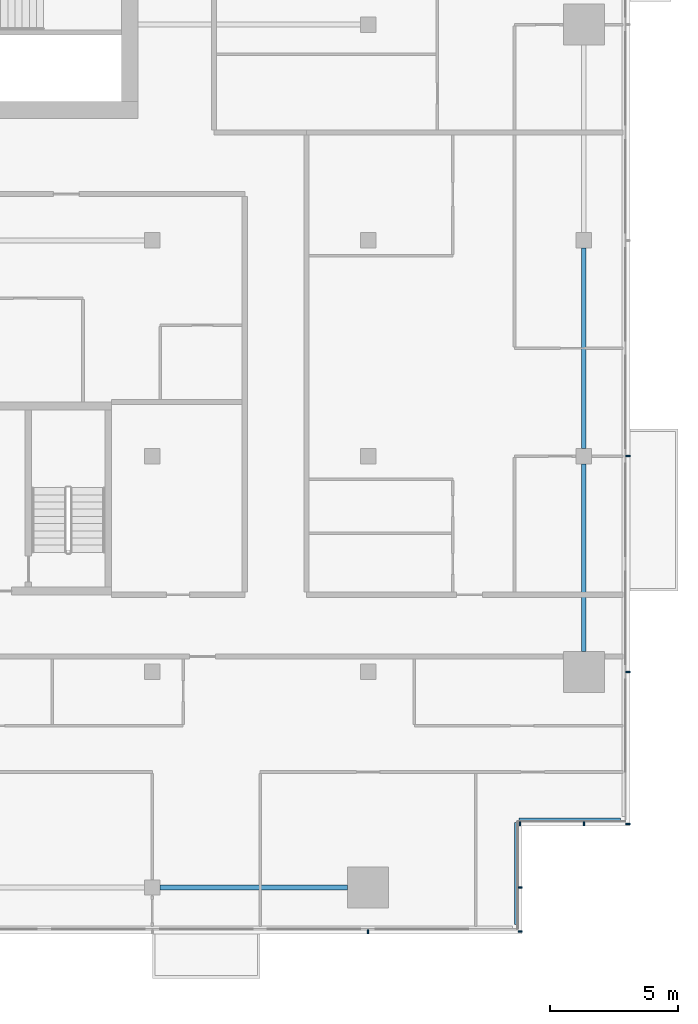
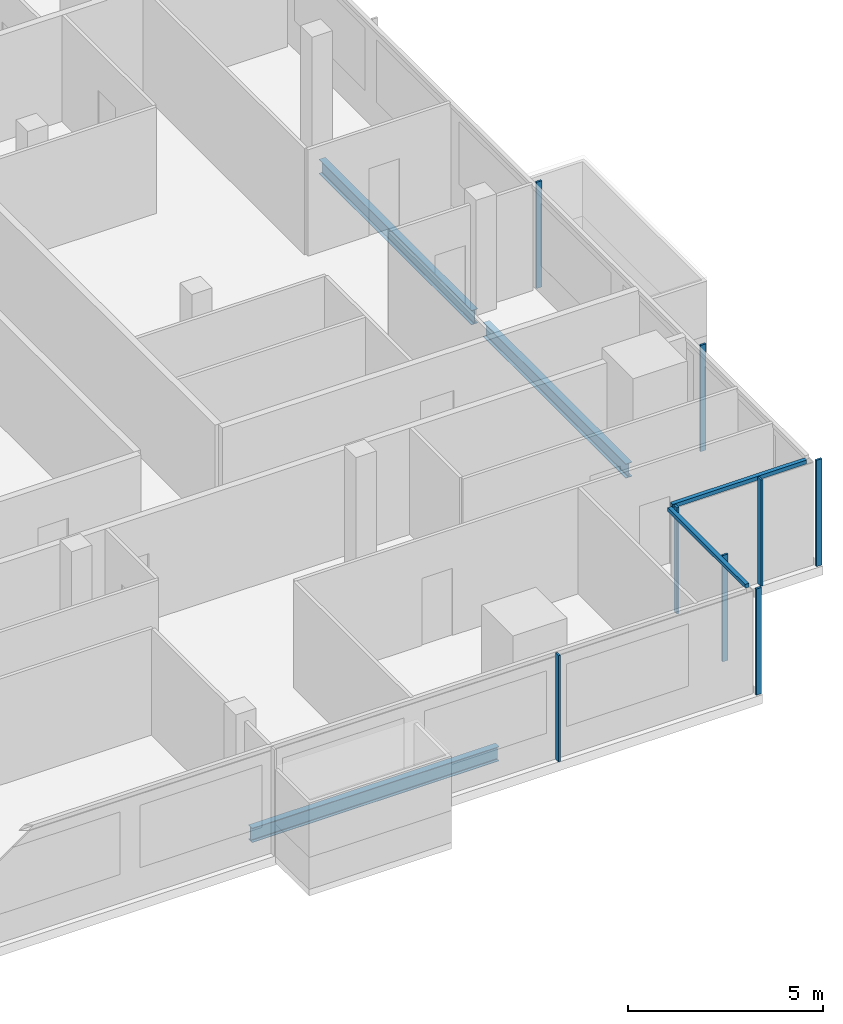
# One storey, part 11 of 26: 10 members, 3 beams, 4 elements without a shape of their own.
"""IFC4 building model written with IfcOpenShell, lengths in metres."""

from ifc_helpers import new_model, si_unit, direction, frame, origin, origin_2d, place, context, subcontext, project, spatial, rectangle, i_section, extrude, material, material_profile, profile_set, type_object, element, aggregate, save


model = new_model("IFC4")

# Units and contexts
model_context = context("Model", 3, precision=1e-05, world=origin(), true_north=direction((0.0, 1.0)))
body_context = subcontext(model_context, "Body", "Model", "MODEL_VIEW")
ifc_project = project(units=[si_unit("LENGTHUNIT", "METRE"), si_unit("AREAUNIT", "SQUARE_METRE"), si_unit("VOLUMEUNIT", "CUBIC_METRE"), si_unit("PLANEANGLEUNIT", "RADIAN"), si_unit("MASSUNIT", "GRAM", prefix="KILO")], contexts=[model_context])

# Site, building, storey
site_placement = place(None, origin())
site = spatial("IfcSite", under=ifc_project, at=site_placement, CompositionType="ELEMENT")
building_placement = place(site_placement, origin())
building = spatial("IfcBuilding", under=site, at=building_placement, Name="Saffron Gate Tower", CompositionType="ELEMENT")
storey_placement = place(building_placement, frame((0.0, 0.0, 230.699951171875)))
storey = spatial("IfcBuildingStorey", under=building, at=storey_placement, Name="L56", CompositionType="ELEMENT", Elevation=230.699951171875)

# Beams
ifc_material_1 = material(Name="Structural steel S355", Category="steel")
ifc_material_profile_1 = material_profile(ifc_material_1, i_section(OverallWidth=0.18994140625, OverallDepth=0.449951171875, WebThickness=0.009521484375, FlangeThickness=0.0146484375, FilletRadius=0.02099609375, at=origin_2d()))
ifc_profile_set_1 = profile_set([ifc_material_profile_1], Name="Structural steel S355")
beam_type = type_object("IfcBeamType", Name="B7 IPE 450", PredefinedType="SPANDREL", material=ifc_profile_set_1)
for number, where, z_axis, x_axis, name in (
    (1, (108.89990234375, 31.800048828125, -0.5048828125), (1.0, 0.0, 0.0), (0.0, 1.0, 0.0), "B7 SPANDREL BEAM"),
    (2, (125.39990234375, 41.0, -0.5048828125), (0.0, 1.0, 0.0), (-1.0, 0.0, 0.0), "B7 SPANDREL BEAM"),
):
    element("IfcBeam", number, at=place(storey_placement, frame(where, z_axis=z_axis, x_axis=x_axis)), inside=storey, type_object=beam_type, Name=name, PredefinedType="SPANDREL", context=body_context, shape_type="SweptSolid", body=[
        extrude(i_section(OverallWidth=0.18994140625, OverallDepth=0.449951171875, WebThickness=0.009521484375, FlangeThickness=0.0146484375, FilletRadius=0.02099609375, at=origin_2d()), origin(), (0.0, 0.0, 1.0), 7.300048828125),
    ])
beam_placement = place(storey_placement, frame((125.39990234375, 48.89990234375, -0.5048828125), z_axis=(0.0, 1.0, 0.0), x_axis=(-1.0, 0.0, 0.0)))
element("IfcBeam", 3, at=beam_placement, inside=storey, type_object=beam_type, Name="B7 SPANDREL BEAM", PredefinedType="SPANDREL", context=body_context, shape_type="SweptSolid", body=[
    extrude(i_section(OverallWidth=0.18994140625, OverallDepth=0.449951171875, WebThickness=0.009521484375, FlangeThickness=0.0146484375, FilletRadius=0.02099609375, at=origin_2d()), origin(), (0.0, 0.0, 1.0), 7.800048828125),
])

# Curtain wall, member
ifc_material_2 = material(Name="Aluminium, bronze anodised", Category="aluminium")
curtain_wall_type_1 = type_object("IfcCurtainWallType", Name="CWS1 curtain wall front facade", PredefinedType="NOTDEFINED", material=ifc_material_2)
curtain_wall_1_placement = place(storey_placement, origin())
curtain_wall_1 = element("IfcCurtainWall", 4, at=curtain_wall_1_placement, inside=storey, type_object=curtain_wall_type_1, Name="CWS1 run 1", PredefinedType="NOTDEFINED")
ifc_material_profile_2 = material_profile(ifc_material_2, rectangle(XDim=0.159912109375, YDim=0.06005859375, at=origin_2d()))
ifc_profile_set_2 = profile_set([ifc_material_profile_2], Name="Aluminium, bronze anodised")
member_type_1 = type_object("IfcMemberType", Name="CWS1 mullion 60x160", PredefinedType="MULLION", material=ifc_profile_set_2)
member_1_placement = place(storey_placement, frame((117.0, 30.080078125, 0.0), z_axis=(0.0, 0.0, 1.0), x_axis=(0.0, 1.0, 0.0)))
member_1 = element("IfcMember", 5, at=member_1_placement, type_object=member_type_1, Name="CWS1 mullion 9", PredefinedType="MULLION", context=body_context, shape_type="SweptSolid", body=[
    extrude(rectangle(XDim=0.159912109375, YDim=0.06005859375, at=origin_2d()), origin(), (0.0, 0.0, 1.0), 3.320068359375),
])
aggregate(curtain_wall_1, [member_1])

# Curtain wall, members
curtain_wall_type_2 = type_object("IfcCurtainWallType", Name="CWS2 curtain wall side facades", PredefinedType="NOTDEFINED", material=ifc_material_2)
curtain_wall_2_placement = place(storey_placement, origin())
curtain_wall_2 = element("IfcCurtainWall", 6, at=curtain_wall_2_placement, inside=storey, type_object=curtain_wall_type_2, Name="CWS2 run 4", PredefinedType="NOTDEFINED")
ifc_material_profile_3 = material_profile(ifc_material_2, rectangle(XDim=0.159912109375, YDim=0.06005859375, at=origin_2d()))
ifc_profile_set_3 = profile_set([ifc_material_profile_3], Name="Aluminium, bronze anodised")
member_type_2 = type_object("IfcMemberType", Name="CWS2 mullion 60x160", PredefinedType="MULLION", material=ifc_profile_set_3)
member_2_placement = place(storey_placement, frame((127.1201171875, 34.280029296875, 0.0), z_axis=(0.0, 0.0, 1.0), x_axis=(-1.0, 0.0, 0.0)))
member_2 = element("IfcMember", 7, at=member_2_placement, type_object=member_type_2, Name="CWS2 mullion 1", PredefinedType="MULLION", context=body_context, shape_type="SweptSolid", body=[
    extrude(rectangle(XDim=0.159912109375, YDim=0.06005859375, at=origin_2d()), origin(), (0.0, 0.0, 1.0), 3.320068359375),
])
member_3_placement = place(storey_placement, frame((127.1201171875, 40.199951171875, 0.0), z_axis=(0.0, 0.0, 1.0), x_axis=(-1.0, 0.0, 0.0)))
member_3 = element("IfcMember", 8, at=member_3_placement, type_object=member_type_2, Name="CWS2 mullion 2", PredefinedType="MULLION", context=body_context, shape_type="SweptSolid", body=[
    extrude(rectangle(XDim=0.159912109375, YDim=0.06005859375, at=origin_2d()), origin(), (0.0, 0.0, 1.0), 3.320068359375),
])
member_4_placement = place(storey_placement, frame((127.1201171875, 48.60009765625, 0.0), z_axis=(0.0, 0.0, 1.0), x_axis=(-1.0, 0.0, 0.0)))
member_4 = element("IfcMember", 9, at=member_4_placement, type_object=member_type_2, Name="CWS2 mullion 3", PredefinedType="MULLION", context=body_context, shape_type="SweptSolid", body=[
    extrude(rectangle(XDim=0.159912109375, YDim=0.06005859375, at=origin_2d()), origin(), (0.0, 0.0, 1.0), 3.320068359375),
])
aggregate(curtain_wall_2, [member_2, member_3, member_4])

# Curtain wall, member
curtain_wall_type_3 = type_object("IfcCurtainWallType", Name="CWS4 curtain wall corner returns", PredefinedType="NOTDEFINED", material=ifc_material_2)
curtain_wall_3_placement = place(storey_placement, origin())
curtain_wall_3 = element("IfcCurtainWall", 10, at=curtain_wall_3_placement, inside=storey, type_object=curtain_wall_type_3, Name="CWS4 run 2", PredefinedType="NOTDEFINED")
ifc_material_profile_4 = material_profile(ifc_material_2, rectangle(XDim=0.1201171875, YDim=0.1201171875, at=origin_2d()))
ifc_profile_set_4 = profile_set([ifc_material_profile_4], Name="Aluminium, bronze anodised")
member_type_3 = type_object("IfcMemberType", Name="CWS4 head transom", PredefinedType="USERDEFINED", material=ifc_profile_set_4)
member_5_placement = place(storey_placement, frame((122.751953125, 30.367919921875, 3.260009765625), z_axis=(0.0, 1.0, 0.0), x_axis=(-1.0, 0.0, 0.0)))
member_5 = element("IfcMember", 11, at=member_5_placement, type_object=member_type_3, Name="CWS4 head transom", ObjectType="TRANSOM", PredefinedType="USERDEFINED", context=body_context, shape_type="SweptSolid", body=[
    extrude(rectangle(XDim=0.1201171875, YDim=0.1201171875, at=origin_2d()), origin(), (0.0, 0.0, 1.0), 3.9599609375),
])

curtain_wall_4_placement = place(storey_placement, origin())
curtain_wall_4 = element("IfcCurtainWall", 12, at=curtain_wall_4_placement, inside=storey, type_object=curtain_wall_type_3, Name="CWS4 run 3", PredefinedType="NOTDEFINED")
member_6_placement = place(storey_placement, frame((122.8720703125, 34.447998046875, 3.260009765625), z_axis=(1.0, 0.0, 0.0), x_axis=(0.0, 1.0, 0.0)))
member_6 = element("IfcMember", 13, at=member_6_placement, type_object=member_type_3, Name="CWS4 head transom", ObjectType="TRANSOM", PredefinedType="USERDEFINED", context=body_context, shape_type="SweptSolid", body=[
    extrude(rectangle(XDim=0.1201171875, YDim=0.1201171875, at=origin_2d()), origin(), (0.0, 0.0, 1.0), 3.9599609375),
])

# Member
ifc_material_profile_5 = material_profile(ifc_material_2, rectangle(XDim=0.159912109375, YDim=0.06005859375, at=origin_2d()))
ifc_profile_set_5 = profile_set([ifc_material_profile_5], Name="Aluminium, bronze anodised")
member_type_4 = type_object("IfcMemberType", Name="CWS4 mullion 60x160", PredefinedType="MULLION", material=ifc_profile_set_5)
member_7_placement = place(storey_placement, frame((122.919921875, 30.080078125, 0.0), z_axis=(0.0, 0.0, 1.0), x_axis=(-1.0, 0.0, 0.0)))
member_7 = element("IfcMember", 14, at=member_7_placement, type_object=member_type_4, Name="CWS4 mullion 1", PredefinedType="MULLION", context=body_context, shape_type="SweptSolid", body=[
    extrude(rectangle(XDim=0.159912109375, YDim=0.06005859375, at=origin_2d()), origin(), (0.0, 0.0, 1.0), 3.320068359375),
])

member_8_placement = place(storey_placement, frame((122.919921875, 31.800048828125, 0.0), z_axis=(0.0, 0.0, 1.0), x_axis=(-1.0, 0.0, 0.0)))
member_8 = element("IfcMember", 15, at=member_8_placement, type_object=member_type_4, Name="CWS4 mullion 2", PredefinedType="MULLION", context=body_context, shape_type="SweptSolid", body=[
    extrude(rectangle(XDim=0.159912109375, YDim=0.06005859375, at=origin_2d()), origin(), (0.0, 0.0, 1.0), 3.320068359375),
])

aggregate(curtain_wall_3, [member_7, member_8, member_5])

member_9_placement = place(storey_placement, frame((122.919921875, 34.280029296875, 0.0), z_axis=(0.0, 0.0, 1.0), x_axis=(0.0, 1.0, 0.0)))
member_9 = element("IfcMember", 16, at=member_9_placement, type_object=member_type_4, Name="CWS4 mullion 1", PredefinedType="MULLION", context=body_context, shape_type="SweptSolid", body=[
    extrude(rectangle(XDim=0.159912109375, YDim=0.06005859375, at=origin_2d()), origin(), (0.0, 0.0, 1.0), 3.320068359375),
])

member_10_placement = place(storey_placement, frame((125.39990234375, 34.280029296875, 0.0), z_axis=(0.0, 0.0, 1.0), x_axis=(0.0, 1.0, 0.0)))
member_10 = element("IfcMember", 17, at=member_10_placement, type_object=member_type_4, Name="CWS4 mullion 2", PredefinedType="MULLION", context=body_context, shape_type="SweptSolid", body=[
    extrude(rectangle(XDim=0.159912109375, YDim=0.06005859375, at=origin_2d()), origin(), (0.0, 0.0, 1.0), 3.320068359375),
])

aggregate(curtain_wall_4, [member_9, member_10, member_6])

save(model, "model.ifc")
